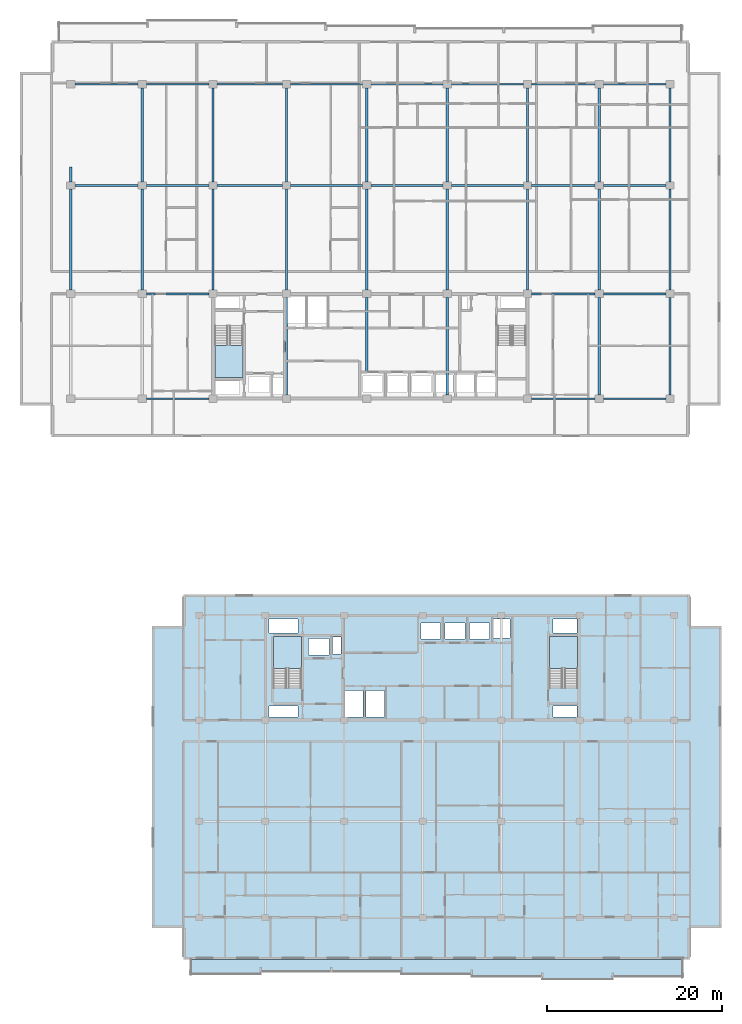
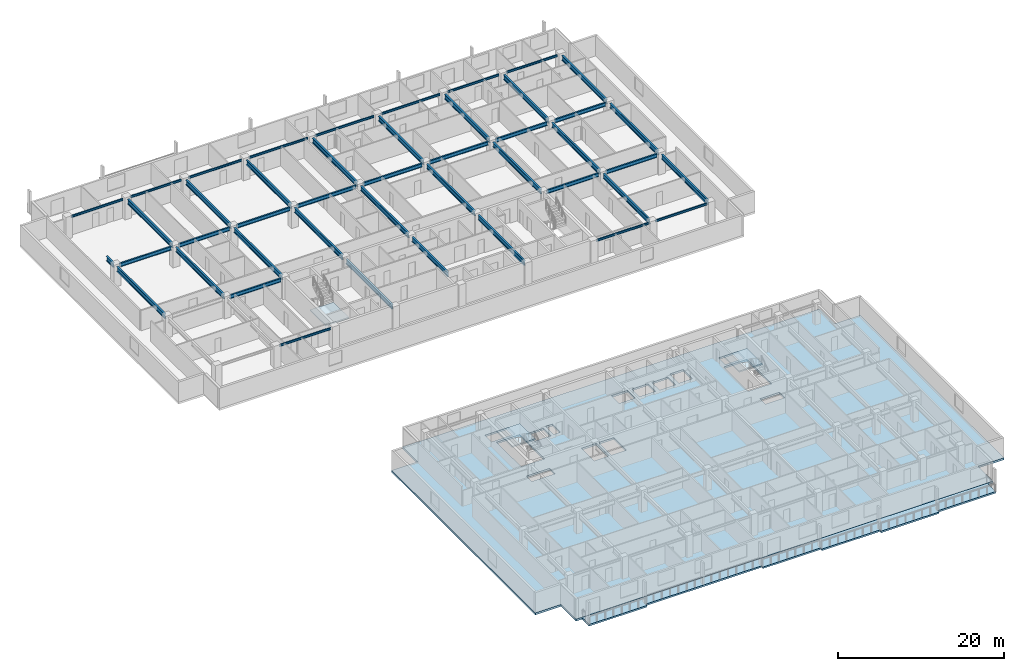
# One storey, part 2 of 22: 45 beams, 5 slabs, 3 elements without a shape of their own.
"""IFC4 building model written with IfcOpenShell, lengths in metres."""

import ifcopenshell
import ifcopenshell.guid

model = None  # the IFC model being written
_history = None  # IfcOwnerHistory: only IFC2X3 demands one
_inside = {}  # id of a spatial element -> (the spatial element, [elements in it])
_under = {}  # id of a project, library or spatial element -> (it, [spatial elements below it])
_declared = {}  # id of a project -> (the project, [libraries it declares])
_typed = {}  # id of a type object -> (the type object, [elements of that type])
_made_of = {}  # id of a material, layer set ... -> (it, [elements and type objects made of it])


def new_model(schema):
    """Start an empty IFC model of exactly this schema.

    Asked for "IFC4X3", IfcOpenShell would pick the latest addendum, in which some entities
    have other attributes; the version numbers below select the first issue.
    IFC2X3 requires an IfcOwnerHistory on every rooted entity: one is made here for all.
    """
    global model, _history
    if schema == "IFC4X3":
        model = ifcopenshell.file(schema_version=(4, 3, 0, 0))
    else:
        model = ifcopenshell.file(schema=schema)
    _inside.clear()
    _under.clear()
    _declared.clear()
    _typed.clear()
    _made_of.clear()
    _history = None
    if model.schema == "IFC2X3":
        org = make("IfcOrganization", Name="unknown")
        user = make(
            "IfcPersonAndOrganization",
            ThePerson=make("IfcPerson", FamilyName="unknown"),
            TheOrganization=org,
        )
        app = make(
            "IfcApplication",
            ApplicationDeveloper=org,
            Version="unknown",
            ApplicationFullName="unknown",
            ApplicationIdentifier="unknown",
        )
        _history = make(
            "IfcOwnerHistory",
            OwningUser=user,
            OwningApplication=app,
            ChangeAction="ADDED",
            CreationDate=0,
        )
    return model


def make(cls, **values):
    """One entity of the class cls with the attributes given. An attribute that is None is left unset."""
    return model.create_entity(
        cls, **{name: value for name, value in values.items() if value is not None}
    )


def rooted(cls, **values):
    """An entity with a GlobalId (a new one), such as an element, a storey or a relation."""
    return make(cls, GlobalId=ifcopenshell.guid.new(), OwnerHistory=_history, **values)


def si_unit(unit_type, name, prefix=None):
    """IfcSIUnit, for example si_unit("LENGTHUNIT", "METRE", prefix="MILLI")."""
    return make("IfcSIUnit", UnitType=unit_type, Prefix=prefix, Name=name)


def assignment(units):
    """IfcUnitAssignment: the units of a project."""
    return None if units is None else make("IfcUnitAssignment", Units=units)


def point(xyz):
    """IfcCartesianPoint."""
    return None if xyz is None else make("IfcCartesianPoint", Coordinates=xyz)


def direction(xyz):
    """IfcDirection."""
    return None if xyz is None else make("IfcDirection", DirectionRatios=xyz)


def frame(location, z_axis=None, x_axis=None):
    """IfcAxis2Placement3D, a coordinate frame: its origin and axes. An axis left out is left unset."""
    return make(
        "IfcAxis2Placement3D",
        Location=point(location),
        Axis=direction(z_axis),
        RefDirection=direction(x_axis),
    )


def frame_2d(location, x_axis=None):
    """IfcAxis2Placement2D, a coordinate frame in the plane: its origin and x axis."""
    return make(
        "IfcAxis2Placement2D", Location=point(location), RefDirection=direction(x_axis)
    )


def origin():
    """The frame at (0, 0, 0) with its axes left unset."""
    return frame((0.0, 0.0, 0.0))


def origin_2d():
    """The frame at (0, 0) in the plane with its x axis left unset."""
    return frame_2d((0.0, 0.0))


def place(relative_to, where):
    """IfcLocalPlacement: puts the frame where relative to a parent placement (None: the world)."""
    return make(
        "IfcLocalPlacement", PlacementRelTo=relative_to, RelativePlacement=where
    )


def context(
    kind, dimensions, precision=None, world=None, true_north=None, identifier=None
):
    """IfcGeometricRepresentationContext, for example the 3D "Model" context."""
    return make(
        "IfcGeometricRepresentationContext",
        ContextIdentifier=identifier,
        ContextType=kind,
        CoordinateSpaceDimension=dimensions,
        Precision=precision,
        WorldCoordinateSystem=world,
        TrueNorth=true_north,
    )


def subcontext(parent, identifier, kind, view, scale=None):
    """IfcGeometricRepresentationSubContext, for example "Body" below "Model"."""
    return make(
        "IfcGeometricRepresentationSubContext",
        ContextIdentifier=identifier,
        ContextType=kind,
        ParentContext=parent,
        TargetScale=scale,
        TargetView=view,
    )


def project(units=None, contexts=None):
    """IfcProject with its units and contexts."""
    return rooted(
        "IfcProject",
        Name="project",
        RepresentationContexts=contexts,
        UnitsInContext=assignment(units),
    )


def spatial(cls, under=None, at=None, **own):
    """A site, building, storey or space (cls), placed at a placement, below another one or the project."""
    s = rooted(cls, ObjectPlacement=at, **own)
    if under is not None:
        _under.setdefault(under.id(), (under, []))[1].append(s)
    return s


def polyline(points):
    """IfcPolyline through the points."""
    return make("IfcPolyline", Points=[point(p) for p in points])


def profile(cls, at=None, kind="AREA", **sizes):
    """A parametric profile (cls). Its sizes go by their IFC names, for example OverallWidth=200.0."""
    return make(cls, ProfileType=kind, Position=at, **sizes)


def i_section(**sizes):
    """IfcIShapeProfileDef."""
    return profile("IfcIShapeProfileDef", **sizes)


def outline(outer, holes=None, kind="AREA"):
    """IfcArbitraryClosedProfileDef: a profile drawn as a closed curve; with holes, ...WithVoids."""
    if holes is None:
        return make("IfcArbitraryClosedProfileDef", ProfileType=kind, OuterCurve=outer)
    return make(
        "IfcArbitraryProfileDefWithVoids",
        ProfileType=kind,
        OuterCurve=outer,
        InnerCurves=holes,
    )


def extrude(swept, where, along, depth):
    """IfcExtrudedAreaSolid: the profile swept, set in the frame where, extruded along a direction by depth."""
    return make(
        "IfcExtrudedAreaSolid",
        SweptArea=swept,
        Position=where,
        ExtrudedDirection=direction(along),
        Depth=depth,
    )


def shape(context_of_items, identifier, shape_type, items):
    """IfcShapeRepresentation: the items that make up one representation, for example the "Body"."""
    return make(
        "IfcShapeRepresentation",
        ContextOfItems=context_of_items,
        RepresentationIdentifier=identifier,
        RepresentationType=shape_type,
        Items=items,
    )


def material(Name=None, Category=None):
    """IfcMaterial."""
    return make("IfcMaterial", Name=Name, Category=Category)


def layer(
    of_material, thickness, ventilated=None, Name=None, Category=None, Priority=None
):
    """IfcMaterialLayer: one layer of a wall or slab, of a material (None: an air gap)."""
    return make(
        "IfcMaterialLayer",
        Material=of_material,
        LayerThickness=thickness,
        IsVentilated=ventilated,
        Name=Name,
        Category=Category,
        Priority=Priority,
    )


def layer_set(layers, Name=None):
    """IfcMaterialLayerSet."""
    return make("IfcMaterialLayerSet", MaterialLayers=layers, LayerSetName=Name)


def material_profile(
    of_material, cross_section, Name=None, Category=None, Priority=None
):
    """IfcMaterialProfile: a cross section and its material."""
    return make(
        "IfcMaterialProfile",
        Name=Name,
        Material=of_material,
        Profile=cross_section,
        Priority=Priority,
        Category=Category,
    )


def profile_set(profiles, Name=None, composite=None):
    """IfcMaterialProfileSet."""
    return make(
        "IfcMaterialProfileSet",
        Name=Name,
        MaterialProfiles=profiles,
        CompositeProfile=composite,
    )


def made_of(thing, what):
    """Note that an element or type object is made of a material, layer set ...; save() writes the relation."""
    if what is not None:
        _made_of.setdefault(what.id(), (what, []))[1].append(thing)
    return thing


def type_object(cls, material=None, **own):
    """A type object (cls), such as IfcWallType, which elements share."""
    return made_of(rooted(cls, **own), material)


def element(
    cls,
    number,
    at=None,
    inside=None,
    cuts=None,
    type_object=None,
    material=None,
    context=None,
    identifier="Body",
    shape_type=None,
    held_by="IfcProductDefinitionShape",
    body=None,
    shapes=None,
    **own,
):
    """One element of the class cls, such as IfcWall. Its Tag is "e" and its number.

    at: its placement. inside: the storey or other place that contains it. cuts: it is an
    opening in that element (IfcRelVoidsElement). A single representation is given by context,
    identifier, shape_type and body (its items); several are given by shapes. held_by: the class
    of the entity that holds the representations. save() writes the other relations.
    """
    e = rooted(cls, Tag="e%d" % number, ObjectPlacement=at, **own)
    if body is not None:
        shapes = [shape(context, identifier, shape_type, body)]
    if shapes is not None:
        e.Representation = make(held_by, Representations=shapes)
    if inside is not None:
        _inside.setdefault(inside.id(), (inside, []))[1].append(e)
    if cuts is not None:
        rooted(
            "IfcRelVoidsElement", RelatingBuildingElement=cuts, RelatedOpeningElement=e
        )
    if type_object is not None:
        _typed.setdefault(type_object.id(), (type_object, []))[1].append(e)
    return made_of(e, material)


def aggregate(whole, parts):
    """IfcRelAggregates: a whole, such as a stair, and the parts it consists of."""
    return rooted("IfcRelAggregates", RelatingObject=whole, RelatedObjects=parts)


def save(model, path):
    """Write the relations noted so far, then the file.

    IfcRelAggregates (storeys below a building ...), IfcRelContainedInSpatialStructure (elements
    in a storey), IfcRelDefinesByType, IfcRelAssociatesMaterial and IfcRelDeclares: one each for
    every whole, place, type object, material and project.
    """
    for whole, parts in _under.values():
        aggregate(whole, parts)
    for where, things in _inside.values():
        rooted(
            "IfcRelContainedInSpatialStructure",
            RelatedElements=things,
            RelatingStructure=where,
        )
    for kind, things in _typed.values():
        rooted("IfcRelDefinesByType", RelatedObjects=things, RelatingType=kind)
    for what, things in _made_of.values():
        rooted("IfcRelAssociatesMaterial", RelatedObjects=things, RelatingMaterial=what)
    for by, libraries in _declared.values():
        rooted("IfcRelDeclares", RelatingContext=by, RelatedDefinitions=libraries)
    model.write(path)


model = new_model("IFC4")

# Units and contexts
model_context = context("Model", 3, precision=1e-05, world=origin(), true_north=direction((0.0, 1.0)))
body_context = subcontext(model_context, "Body", "Model", "MODEL_VIEW")
ifc_project = project(units=[si_unit("LENGTHUNIT", "METRE"), si_unit("AREAUNIT", "SQUARE_METRE"), si_unit("VOLUMEUNIT", "CUBIC_METRE"), si_unit("PLANEANGLEUNIT", "RADIAN"), si_unit("MASSUNIT", "GRAM", prefix="KILO")], contexts=[model_context])

# Site, building, storey
site_placement = place(None, origin())
site = spatial("IfcSite", under=ifc_project, at=site_placement, CompositionType="ELEMENT")
building_placement = place(site_placement, origin())
building = spatial("IfcBuilding", under=site, at=building_placement, Name="Korimba Cascade Residences", CompositionType="ELEMENT")
storey_placement = place(building_placement, frame((0.0, 0.0, 132.800048828125)))
storey = spatial("IfcBuildingStorey", under=building, at=storey_placement, Name="L38", CompositionType="ELEMENT", Elevation=132.800048828125)

# Beams
ifc_material_1 = material(Name="Steel S355", Category="steel")
ifc_material_profile_1 = material_profile(ifc_material_1, i_section(OverallWidth=0.165771484375, OverallDepth=0.306640625, WebThickness=0.006591796875, FlangeThickness=0.01171875, FilletRadius=0.0087890625, at=origin_2d()), Name="Steel S355")
ifc_profile_set_1 = profile_set([ifc_material_profile_1], Name="Steel S355")
beam_type_1 = type_object("IfcBeamType", Name="BM-STL-UB305", PredefinedType="SPANDREL", material=ifc_profile_set_1)
beam_1_placement = place(storey_placement, frame((68.47509765625, 55.199951171875, 2.816650390625), z_axis=(1.0, 0.0, 0.0), x_axis=(0.0, 1.0, 0.0)))
element("IfcBeam", 1, at=beam_1_placement, inside=storey, type_object=beam_type_1, Name="L38 T1 E-W Girder Y1 Bay 2", PredefinedType="SPANDREL", context=body_context, shape_type="SweptSolid", body=[
    extrude(i_section(OverallWidth=0.165771484375, OverallDepth=0.306640625, WebThickness=0.006591796875, FlangeThickness=0.01171875, FilletRadius=0.0087890625, at=origin_2d()), origin(), (0.0, 0.0, 1.0), 7.14990234375),
])
beam_2_placement = place(storey_placement, frame((112.574951171875, 55.199951171875, 2.816650390625), z_axis=(1.0, 0.0, 0.0), x_axis=(0.0, 1.0, 0.0)))
element("IfcBeam", 2, at=beam_2_placement, inside=storey, type_object=beam_type_1, Name="L38 T1 E-W Girder Y1 Bay 7", PredefinedType="SPANDREL", context=body_context, shape_type="SweptSolid", body=[
    extrude(i_section(OverallWidth=0.165771484375, OverallDepth=0.306640625, WebThickness=0.006591796875, FlangeThickness=0.01171875, FilletRadius=0.0087890625, at=origin_2d()), origin(), (0.0, 0.0, 1.0), 7.25),
])
beam_3_placement = place(storey_placement, frame((120.77490234375, 55.199951171875, 2.816650390625), z_axis=(1.0, 0.0, 0.0), x_axis=(0.0, 1.0, 0.0)))
element("IfcBeam", 3, at=beam_3_placement, inside=storey, type_object=beam_type_1, Name="L38 T1 E-W Girder Y1 Bay 8", PredefinedType="SPANDREL", context=body_context, shape_type="SweptSolid", body=[
    extrude(i_section(OverallWidth=0.165771484375, OverallDepth=0.306640625, WebThickness=0.006591796875, FlangeThickness=0.01171875, FilletRadius=0.0087890625, at=origin_2d()), origin(), (0.0, 0.0, 1.0), 7.150146484375),
])
beam_4_placement = place(storey_placement, frame((60.27490234375, 91.199951171875, 2.816650390625), z_axis=(1.0, 0.0, 0.0), x_axis=(0.0, 1.0, 0.0)))
element("IfcBeam", 4, at=beam_4_placement, inside=storey, type_object=beam_type_1, Name="L38 T1 E-W Girder Y4 Bay 1", PredefinedType="SPANDREL", context=body_context, shape_type="SweptSolid", body=[
    extrude(i_section(OverallWidth=0.165771484375, OverallDepth=0.306640625, WebThickness=0.006591796875, FlangeThickness=0.01171875, FilletRadius=0.0087890625, at=origin_2d()), origin(), (0.0, 0.0, 1.0), 7.25),
])
beam_5_placement = place(storey_placement, frame((68.47509765625, 91.199951171875, 2.816650390625), z_axis=(1.0, 0.0, 0.0), x_axis=(0.0, 1.0, 0.0)))
element("IfcBeam", 5, at=beam_5_placement, inside=storey, type_object=beam_type_1, Name="L38 T1 E-W Girder Y4 Bay 2", PredefinedType="SPANDREL", context=body_context, shape_type="SweptSolid", body=[
    extrude(i_section(OverallWidth=0.165771484375, OverallDepth=0.306640625, WebThickness=0.006591796875, FlangeThickness=0.01171875, FilletRadius=0.0087890625, at=origin_2d()), origin(), (0.0, 0.0, 1.0), 7.14990234375),
])
beam_6_placement = place(storey_placement, frame((76.574951171875, 91.199951171875, 2.816650390625), z_axis=(1.0, 0.0, 0.0), x_axis=(0.0, 1.0, 0.0)))
element("IfcBeam", 6, at=beam_6_placement, inside=storey, type_object=beam_type_1, Name="L38 T1 E-W Girder Y4 Bay 3", PredefinedType="SPANDREL", context=body_context, shape_type="SweptSolid", body=[
    extrude(i_section(OverallWidth=0.165771484375, OverallDepth=0.306640625, WebThickness=0.006591796875, FlangeThickness=0.01171875, FilletRadius=0.0087890625, at=origin_2d()), origin(), (0.0, 0.0, 1.0), 7.449951171875),
])
for number, where, z_axis, x_axis, name in (
    (7, (84.97509765625, 91.199951171875, 2.816650390625), (1.0, 0.0, 0.0), (0.0, 1.0, 0.0), "L38 T1 E-W Girder Y4 Bay 4"),
    (8, (94.175048828125, 91.199951171875, 2.816650390625), (1.0, 0.0, 0.0), (0.0, 1.0, 0.0), "L38 T1 E-W Girder Y4 Bay 5"),
    (9, (103.375, 91.199951171875, 2.816650390625), (1.0, 0.0, 0.0), (0.0, 1.0, 0.0), "L38 T1 E-W Girder Y4 Bay 6"),
):
    element("IfcBeam", number, at=place(storey_placement, frame(where, z_axis=z_axis, x_axis=x_axis)), inside=storey, type_object=beam_type_1, Name=name, PredefinedType="SPANDREL", context=body_context, shape_type="SweptSolid", body=[
        extrude(i_section(OverallWidth=0.165771484375, OverallDepth=0.306640625, WebThickness=0.006591796875, FlangeThickness=0.01171875, FilletRadius=0.0087890625, at=origin_2d()), origin(), (0.0, 0.0, 1.0), 8.25),
    ])
beam_7_placement = place(storey_placement, frame((112.574951171875, 91.199951171875, 2.816650390625), z_axis=(1.0, 0.0, 0.0), x_axis=(0.0, 1.0, 0.0)))
element("IfcBeam", 10, at=beam_7_placement, inside=storey, type_object=beam_type_1, Name="L38 T1 E-W Girder Y4 Bay 7", PredefinedType="SPANDREL", context=body_context, shape_type="SweptSolid", body=[
    extrude(i_section(OverallWidth=0.165771484375, OverallDepth=0.306640625, WebThickness=0.006591796875, FlangeThickness=0.01171875, FilletRadius=0.0087890625, at=origin_2d()), origin(), (0.0, 0.0, 1.0), 7.25),
])
beam_8_placement = place(storey_placement, frame((120.77490234375, 91.199951171875, 2.816650390625), z_axis=(1.0, 0.0, 0.0), x_axis=(0.0, 1.0, 0.0)))
element("IfcBeam", 11, at=beam_8_placement, inside=storey, type_object=beam_type_1, Name="L38 T1 E-W Girder Y4 Bay 8", PredefinedType="SPANDREL", context=body_context, shape_type="SweptSolid", body=[
    extrude(i_section(OverallWidth=0.165771484375, OverallDepth=0.306640625, WebThickness=0.006591796875, FlangeThickness=0.01171875, FilletRadius=0.0087890625, at=origin_2d()), origin(), (0.0, 0.0, 1.0), 7.150146484375),
])
ifc_material_profile_2 = material_profile(ifc_material_1, i_section(OverallWidth=0.2099609375, OverallDepth=0.53662109375, WebThickness=0.0107421875, FlangeThickness=0.017333984375, FilletRadius=0.0126953125, at=origin_2d()), Name="Steel S355")
ifc_profile_set_2 = profile_set([ifc_material_profile_2], Name="Steel S355")
beam_type_2 = type_object("IfcBeamType", Name="BM-STL-UB533", PredefinedType="BEAM", material=ifc_profile_set_2)
beam_9_placement = place(storey_placement, frame((68.47509765625, 67.199951171875, 2.70166015625), z_axis=(1.0, 0.0, 0.0), x_axis=(0.0, 1.0, 0.0)))
element("IfcBeam", 12, at=beam_9_placement, inside=storey, type_object=beam_type_2, Name="L38 T1 E-W Girder Y2 Bay 2", PredefinedType="BEAM", context=body_context, shape_type="SweptSolid", body=[
    extrude(i_section(OverallWidth=0.2099609375, OverallDepth=0.53662109375, WebThickness=0.0107421875, FlangeThickness=0.017333984375, FilletRadius=0.0126953125, at=origin_2d()), origin(), (0.0, 0.0, 1.0), 7.14990234375),
])
beam_10_placement = place(storey_placement, frame((112.574951171875, 67.199951171875, 2.70166015625), z_axis=(1.0, 0.0, 0.0), x_axis=(0.0, 1.0, 0.0)))
element("IfcBeam", 13, at=beam_10_placement, inside=storey, type_object=beam_type_2, Name="L38 T1 E-W Girder Y2 Bay 7", PredefinedType="BEAM", context=body_context, shape_type="SweptSolid", body=[
    extrude(i_section(OverallWidth=0.2099609375, OverallDepth=0.53662109375, WebThickness=0.0107421875, FlangeThickness=0.017333984375, FilletRadius=0.0126953125, at=origin_2d()), origin(), (0.0, 0.0, 1.0), 7.25),
])
beam_11_placement = place(storey_placement, frame((120.77490234375, 67.199951171875, 2.70166015625), z_axis=(1.0, 0.0, 0.0), x_axis=(0.0, 1.0, 0.0)))
element("IfcBeam", 14, at=beam_11_placement, inside=storey, type_object=beam_type_2, Name="L38 T1 E-W Girder Y2 Bay 8", PredefinedType="BEAM", context=body_context, shape_type="SweptSolid", body=[
    extrude(i_section(OverallWidth=0.2099609375, OverallDepth=0.53662109375, WebThickness=0.0107421875, FlangeThickness=0.017333984375, FilletRadius=0.0126953125, at=origin_2d()), origin(), (0.0, 0.0, 1.0), 7.150146484375),
])
beam_12_placement = place(storey_placement, frame((60.27490234375, 79.60009765625, 2.70166015625), z_axis=(1.0, 0.0, 0.0), x_axis=(0.0, 1.0, 0.0)))
element("IfcBeam", 15, at=beam_12_placement, inside=storey, type_object=beam_type_2, Name="L38 T1 E-W Girder Y3 Bay 1", PredefinedType="BEAM", context=body_context, shape_type="SweptSolid", body=[
    extrude(i_section(OverallWidth=0.2099609375, OverallDepth=0.53662109375, WebThickness=0.0107421875, FlangeThickness=0.017333984375, FilletRadius=0.0126953125, at=origin_2d()), origin(), (0.0, 0.0, 1.0), 7.25),
])
beam_13_placement = place(storey_placement, frame((68.47509765625, 79.60009765625, 2.70166015625), z_axis=(1.0, 0.0, 0.0), x_axis=(0.0, 1.0, 0.0)))
element("IfcBeam", 16, at=beam_13_placement, inside=storey, type_object=beam_type_2, Name="L38 T1 E-W Girder Y3 Bay 2", PredefinedType="BEAM", context=body_context, shape_type="SweptSolid", body=[
    extrude(i_section(OverallWidth=0.2099609375, OverallDepth=0.53662109375, WebThickness=0.0107421875, FlangeThickness=0.017333984375, FilletRadius=0.0126953125, at=origin_2d()), origin(), (0.0, 0.0, 1.0), 7.14990234375),
])
beam_14_placement = place(storey_placement, frame((76.574951171875, 79.60009765625, 2.70166015625), z_axis=(1.0, 0.0, 0.0), x_axis=(0.0, 1.0, 0.0)))
element("IfcBeam", 17, at=beam_14_placement, inside=storey, type_object=beam_type_2, Name="L38 T1 E-W Girder Y3 Bay 3", PredefinedType="BEAM", context=body_context, shape_type="SweptSolid", body=[
    extrude(i_section(OverallWidth=0.2099609375, OverallDepth=0.53662109375, WebThickness=0.0107421875, FlangeThickness=0.017333984375, FilletRadius=0.0126953125, at=origin_2d()), origin(), (0.0, 0.0, 1.0), 7.449951171875),
])
for number, where, z_axis, x_axis, name in (
    (18, (84.97509765625, 79.60009765625, 2.70166015625), (1.0, 0.0, 0.0), (0.0, 1.0, 0.0), "L38 T1 E-W Girder Y3 Bay 4"),
    (19, (94.175048828125, 79.60009765625, 2.70166015625), (1.0, 0.0, 0.0), (0.0, 1.0, 0.0), "L38 T1 E-W Girder Y3 Bay 5"),
    (20, (103.375, 79.60009765625, 2.70166015625), (1.0, 0.0, 0.0), (0.0, 1.0, 0.0), "L38 T1 E-W Girder Y3 Bay 6"),
):
    element("IfcBeam", number, at=place(storey_placement, frame(where, z_axis=z_axis, x_axis=x_axis)), inside=storey, type_object=beam_type_2, Name=name, PredefinedType="BEAM", context=body_context, shape_type="SweptSolid", body=[
        extrude(i_section(OverallWidth=0.2099609375, OverallDepth=0.53662109375, WebThickness=0.0107421875, FlangeThickness=0.017333984375, FilletRadius=0.0126953125, at=origin_2d()), origin(), (0.0, 0.0, 1.0), 8.25),
    ])
beam_15_placement = place(storey_placement, frame((112.574951171875, 79.60009765625, 2.70166015625), z_axis=(1.0, 0.0, 0.0), x_axis=(0.0, 1.0, 0.0)))
element("IfcBeam", 21, at=beam_15_placement, inside=storey, type_object=beam_type_2, Name="L38 T1 E-W Girder Y3 Bay 7", PredefinedType="BEAM", context=body_context, shape_type="SweptSolid", body=[
    extrude(i_section(OverallWidth=0.2099609375, OverallDepth=0.53662109375, WebThickness=0.0107421875, FlangeThickness=0.017333984375, FilletRadius=0.0126953125, at=origin_2d()), origin(), (0.0, 0.0, 1.0), 7.25),
])
beam_16_placement = place(storey_placement, frame((120.77490234375, 79.60009765625, 2.70166015625), z_axis=(1.0, 0.0, 0.0), x_axis=(0.0, 1.0, 0.0)))
element("IfcBeam", 22, at=beam_16_placement, inside=storey, type_object=beam_type_2, Name="L38 T1 E-W Girder Y3 Bay 8", PredefinedType="BEAM", context=body_context, shape_type="SweptSolid", body=[
    extrude(i_section(OverallWidth=0.2099609375, OverallDepth=0.53662109375, WebThickness=0.0107421875, FlangeThickness=0.017333984375, FilletRadius=0.0126953125, at=origin_2d()), origin(), (0.0, 0.0, 1.0), 7.150146484375),
])
ifc_material_profile_3 = material_profile(ifc_material_1, i_section(OverallWidth=0.255859375, OverallDepth=0.69287109375, WebThickness=0.014404296875, FlangeThickness=0.023681640625, FilletRadius=0.01513671875, at=origin_2d()), Name="Steel S355")
ifc_profile_set_3 = profile_set([ifc_material_profile_3], Name="Steel S355")
beam_type_3 = type_object("IfcBeamType", Name="BM-STL-UB686", PredefinedType="BEAM", material=ifc_profile_set_3)
beam_17_placement = place(storey_placement, frame((59.800048828125, 67.625, 2.62353515625), z_axis=(0.0, 1.0, 0.0), x_axis=(-1.0, 0.0, 0.0)))
element("IfcBeam", 23, at=beam_17_placement, inside=storey, type_object=beam_type_3, Name="L38 T1 N-S Girder X1 Seg 2", PredefinedType="BEAM", context=body_context, shape_type="SweptSolid", body=[
    extrude(i_section(OverallWidth=0.255859375, OverallDepth=0.69287109375, WebThickness=0.014404296875, FlangeThickness=0.023681640625, FilletRadius=0.01513671875, at=origin_2d()), origin(), (0.0, 0.0, 1.0), 11.550048828125),
])
beam_18_placement = place(storey_placement, frame((59.800048828125, 80.02490234375, 2.62353515625), z_axis=(0.0, 1.0, 0.0), x_axis=(-1.0, 0.0, 0.0)))
element("IfcBeam", 24, at=beam_18_placement, inside=storey, type_object=beam_type_3, Name="L38 T1 N-S Girder X1 Seg 3", PredefinedType="BEAM", context=body_context, shape_type="SweptSolid", body=[
    extrude(i_section(OverallWidth=0.255859375, OverallDepth=0.69287109375, WebThickness=0.014404296875, FlangeThickness=0.023681640625, FilletRadius=0.01513671875, at=origin_2d()), origin(), (0.0, 0.0, 1.0), 1.675048828125),
])
beam_19_placement = place(storey_placement, frame((68.0, 67.625, 2.62353515625), z_axis=(0.0, 1.0, 0.0), x_axis=(-1.0, 0.0, 0.0)))
element("IfcBeam", 25, at=beam_19_placement, inside=storey, type_object=beam_type_3, Name="L38 T1 N-S Girder X2 Seg 2", PredefinedType="BEAM", context=body_context, shape_type="SweptSolid", body=[
    extrude(i_section(OverallWidth=0.255859375, OverallDepth=0.69287109375, WebThickness=0.014404296875, FlangeThickness=0.023681640625, FilletRadius=0.01513671875, at=origin_2d()), origin(), (0.0, 0.0, 1.0), 11.550048828125),
])
beam_20_placement = place(storey_placement, frame((68.0, 80.02490234375, 2.62353515625), z_axis=(0.0, 1.0, 0.0), x_axis=(-1.0, 0.0, 0.0)))
element("IfcBeam", 26, at=beam_20_placement, inside=storey, type_object=beam_type_3, Name="L38 T1 N-S Girder X2 Seg 3", PredefinedType="BEAM", context=body_context, shape_type="SweptSolid", body=[
    extrude(i_section(OverallWidth=0.255859375, OverallDepth=0.69287109375, WebThickness=0.014404296875, FlangeThickness=0.023681640625, FilletRadius=0.01513671875, at=origin_2d()), origin(), (0.0, 0.0, 1.0), 10.75),
])
beam_21_placement = place(storey_placement, frame((76.10009765625, 67.625, 2.62353515625), z_axis=(0.0, 1.0, 0.0), x_axis=(-1.0, 0.0, 0.0)))
element("IfcBeam", 27, at=beam_21_placement, inside=storey, type_object=beam_type_3, Name="L38 T1 N-S Girder X3 Seg 2", PredefinedType="BEAM", context=body_context, shape_type="SweptSolid", body=[
    extrude(i_section(OverallWidth=0.255859375, OverallDepth=0.69287109375, WebThickness=0.014404296875, FlangeThickness=0.023681640625, FilletRadius=0.01513671875, at=origin_2d()), origin(), (0.0, 0.0, 1.0), 11.550048828125),
])
beam_22_placement = place(storey_placement, frame((76.10009765625, 80.02490234375, 2.62353515625), z_axis=(0.0, 1.0, 0.0), x_axis=(-1.0, 0.0, 0.0)))
element("IfcBeam", 28, at=beam_22_placement, inside=storey, type_object=beam_type_3, Name="L38 T1 N-S Girder X3 Seg 3", PredefinedType="BEAM", context=body_context, shape_type="SweptSolid", body=[
    extrude(i_section(OverallWidth=0.255859375, OverallDepth=0.69287109375, WebThickness=0.014404296875, FlangeThickness=0.023681640625, FilletRadius=0.01513671875, at=origin_2d()), origin(), (0.0, 0.0, 1.0), 10.75),
])
beam_23_placement = place(storey_placement, frame((84.5, 55.625, 2.62353515625), z_axis=(0.0, 1.0, 0.0), x_axis=(-1.0, 0.0, 0.0)))
element("IfcBeam", 29, at=beam_23_placement, inside=storey, type_object=beam_type_3, Name="L38 T1 N-S Girder X4 Seg 1", PredefinedType="BEAM", context=body_context, shape_type="SweptSolid", body=[
    extrude(i_section(OverallWidth=0.255859375, OverallDepth=0.69287109375, WebThickness=0.014404296875, FlangeThickness=0.023681640625, FilletRadius=0.01513671875, at=origin_2d()), origin(), (0.0, 0.0, 1.0), 11.14990234375),
])
beam_24_placement = place(storey_placement, frame((84.5, 67.625, 2.62353515625), z_axis=(0.0, 1.0, 0.0), x_axis=(-1.0, 0.0, 0.0)))
element("IfcBeam", 30, at=beam_24_placement, inside=storey, type_object=beam_type_3, Name="L38 T1 N-S Girder X4 Seg 2", PredefinedType="BEAM", context=body_context, shape_type="SweptSolid", body=[
    extrude(i_section(OverallWidth=0.255859375, OverallDepth=0.69287109375, WebThickness=0.014404296875, FlangeThickness=0.023681640625, FilletRadius=0.01513671875, at=origin_2d()), origin(), (0.0, 0.0, 1.0), 11.550048828125),
])
beam_25_placement = place(storey_placement, frame((84.5, 80.02490234375, 2.62353515625), z_axis=(0.0, 1.0, 0.0), x_axis=(-1.0, 0.0, 0.0)))
element("IfcBeam", 31, at=beam_25_placement, inside=storey, type_object=beam_type_3, Name="L38 T1 N-S Girder X4 Seg 3", PredefinedType="BEAM", context=body_context, shape_type="SweptSolid", body=[
    extrude(i_section(OverallWidth=0.255859375, OverallDepth=0.69287109375, WebThickness=0.014404296875, FlangeThickness=0.023681640625, FilletRadius=0.01513671875, at=origin_2d()), origin(), (0.0, 0.0, 1.0), 10.75),
])
beam_26_placement = place(storey_placement, frame((93.699951171875, 58.159912109375, 2.62353515625), z_axis=(0.0, 1.0, 0.0), x_axis=(-1.0, 0.0, 0.0)))
element("IfcBeam", 32, at=beam_26_placement, inside=storey, type_object=beam_type_3, Name="L38 T1 N-S Girder X5 Seg 1", PredefinedType="BEAM", context=body_context, shape_type="SweptSolid", body=[
    extrude(i_section(OverallWidth=0.255859375, OverallDepth=0.69287109375, WebThickness=0.014404296875, FlangeThickness=0.023681640625, FilletRadius=0.01513671875, at=origin_2d()), origin(), (0.0, 0.0, 1.0), 8.614990234375),
])
beam_27_placement = place(storey_placement, frame((93.699951171875, 67.625, 2.62353515625), z_axis=(0.0, 1.0, 0.0), x_axis=(-1.0, 0.0, 0.0)))
element("IfcBeam", 33, at=beam_27_placement, inside=storey, type_object=beam_type_3, Name="L38 T1 N-S Girder X5 Seg 2", PredefinedType="BEAM", context=body_context, shape_type="SweptSolid", body=[
    extrude(i_section(OverallWidth=0.255859375, OverallDepth=0.69287109375, WebThickness=0.014404296875, FlangeThickness=0.023681640625, FilletRadius=0.01513671875, at=origin_2d()), origin(), (0.0, 0.0, 1.0), 11.550048828125),
])
beam_28_placement = place(storey_placement, frame((93.699951171875, 80.02490234375, 2.62353515625), z_axis=(0.0, 1.0, 0.0), x_axis=(-1.0, 0.0, 0.0)))
element("IfcBeam", 34, at=beam_28_placement, inside=storey, type_object=beam_type_3, Name="L38 T1 N-S Girder X5 Seg 3", PredefinedType="BEAM", context=body_context, shape_type="SweptSolid", body=[
    extrude(i_section(OverallWidth=0.255859375, OverallDepth=0.69287109375, WebThickness=0.014404296875, FlangeThickness=0.023681640625, FilletRadius=0.01513671875, at=origin_2d()), origin(), (0.0, 0.0, 1.0), 10.75),
])
beam_29_placement = place(storey_placement, frame((102.89990234375, 55.625, 2.62353515625), z_axis=(0.0, 1.0, 0.0), x_axis=(-1.0, 0.0, 0.0)))
element("IfcBeam", 35, at=beam_29_placement, inside=storey, type_object=beam_type_3, Name="L38 T1 N-S Girder X6 Seg 1", PredefinedType="BEAM", context=body_context, shape_type="SweptSolid", body=[
    extrude(i_section(OverallWidth=0.255859375, OverallDepth=0.69287109375, WebThickness=0.014404296875, FlangeThickness=0.023681640625, FilletRadius=0.01513671875, at=origin_2d()), origin(), (0.0, 0.0, 1.0), 11.14990234375),
])
beam_30_placement = place(storey_placement, frame((102.89990234375, 67.625, 2.62353515625), z_axis=(0.0, 1.0, 0.0), x_axis=(-1.0, 0.0, 0.0)))
element("IfcBeam", 36, at=beam_30_placement, inside=storey, type_object=beam_type_3, Name="L38 T1 N-S Girder X6 Seg 2", PredefinedType="BEAM", context=body_context, shape_type="SweptSolid", body=[
    extrude(i_section(OverallWidth=0.255859375, OverallDepth=0.69287109375, WebThickness=0.014404296875, FlangeThickness=0.023681640625, FilletRadius=0.01513671875, at=origin_2d()), origin(), (0.0, 0.0, 1.0), 11.550048828125),
])
beam_31_placement = place(storey_placement, frame((102.89990234375, 80.02490234375, 2.62353515625), z_axis=(0.0, 1.0, 0.0), x_axis=(-1.0, 0.0, 0.0)))
element("IfcBeam", 37, at=beam_31_placement, inside=storey, type_object=beam_type_3, Name="L38 T1 N-S Girder X6 Seg 3", PredefinedType="BEAM", context=body_context, shape_type="SweptSolid", body=[
    extrude(i_section(OverallWidth=0.255859375, OverallDepth=0.69287109375, WebThickness=0.014404296875, FlangeThickness=0.023681640625, FilletRadius=0.01513671875, at=origin_2d()), origin(), (0.0, 0.0, 1.0), 10.75),
])
beam_32_placement = place(storey_placement, frame((112.10009765625, 67.625, 2.62353515625), z_axis=(0.0, 1.0, 0.0), x_axis=(-1.0, 0.0, 0.0)))
element("IfcBeam", 38, at=beam_32_placement, inside=storey, type_object=beam_type_3, Name="L38 T1 N-S Girder X7 Seg 2", PredefinedType="BEAM", context=body_context, shape_type="SweptSolid", body=[
    extrude(i_section(OverallWidth=0.255859375, OverallDepth=0.69287109375, WebThickness=0.014404296875, FlangeThickness=0.023681640625, FilletRadius=0.01513671875, at=origin_2d()), origin(), (0.0, 0.0, 1.0), 11.550048828125),
])
beam_33_placement = place(storey_placement, frame((112.10009765625, 80.02490234375, 2.62353515625), z_axis=(0.0, 1.0, 0.0), x_axis=(-1.0, 0.0, 0.0)))
element("IfcBeam", 39, at=beam_33_placement, inside=storey, type_object=beam_type_3, Name="L38 T1 N-S Girder X7 Seg 3", PredefinedType="BEAM", context=body_context, shape_type="SweptSolid", body=[
    extrude(i_section(OverallWidth=0.255859375, OverallDepth=0.69287109375, WebThickness=0.014404296875, FlangeThickness=0.023681640625, FilletRadius=0.01513671875, at=origin_2d()), origin(), (0.0, 0.0, 1.0), 10.75),
])
beam_34_placement = place(storey_placement, frame((120.300048828125, 55.625, 2.62353515625), z_axis=(0.0, 1.0, 0.0), x_axis=(-1.0, 0.0, 0.0)))
element("IfcBeam", 40, at=beam_34_placement, inside=storey, type_object=beam_type_3, Name="L38 T1 N-S Girder X8 Seg 1", PredefinedType="BEAM", context=body_context, shape_type="SweptSolid", body=[
    extrude(i_section(OverallWidth=0.255859375, OverallDepth=0.69287109375, WebThickness=0.014404296875, FlangeThickness=0.023681640625, FilletRadius=0.01513671875, at=origin_2d()), origin(), (0.0, 0.0, 1.0), 11.14990234375),
])
beam_35_placement = place(storey_placement, frame((120.300048828125, 67.625, 2.62353515625), z_axis=(0.0, 1.0, 0.0), x_axis=(-1.0, 0.0, 0.0)))
element("IfcBeam", 41, at=beam_35_placement, inside=storey, type_object=beam_type_3, Name="L38 T1 N-S Girder X8 Seg 2", PredefinedType="BEAM", context=body_context, shape_type="SweptSolid", body=[
    extrude(i_section(OverallWidth=0.255859375, OverallDepth=0.69287109375, WebThickness=0.014404296875, FlangeThickness=0.023681640625, FilletRadius=0.01513671875, at=origin_2d()), origin(), (0.0, 0.0, 1.0), 11.550048828125),
])
beam_36_placement = place(storey_placement, frame((120.300048828125, 80.02490234375, 2.62353515625), z_axis=(0.0, 1.0, 0.0), x_axis=(-1.0, 0.0, 0.0)))
element("IfcBeam", 42, at=beam_36_placement, inside=storey, type_object=beam_type_3, Name="L38 T1 N-S Girder X8 Seg 3", PredefinedType="BEAM", context=body_context, shape_type="SweptSolid", body=[
    extrude(i_section(OverallWidth=0.255859375, OverallDepth=0.69287109375, WebThickness=0.014404296875, FlangeThickness=0.023681640625, FilletRadius=0.01513671875, at=origin_2d()), origin(), (0.0, 0.0, 1.0), 10.75),
])
beam_37_placement = place(storey_placement, frame((128.39990234375, 55.625, 2.62353515625), z_axis=(0.0, 1.0, 0.0), x_axis=(-1.0, 0.0, 0.0)))
element("IfcBeam", 43, at=beam_37_placement, inside=storey, type_object=beam_type_3, Name="L38 T1 N-S Girder X9 Seg 1", PredefinedType="BEAM", context=body_context, shape_type="SweptSolid", body=[
    extrude(i_section(OverallWidth=0.255859375, OverallDepth=0.69287109375, WebThickness=0.014404296875, FlangeThickness=0.023681640625, FilletRadius=0.01513671875, at=origin_2d()), origin(), (0.0, 0.0, 1.0), 11.14990234375),
])
beam_38_placement = place(storey_placement, frame((128.39990234375, 67.625, 2.62353515625), z_axis=(0.0, 1.0, 0.0), x_axis=(-1.0, 0.0, 0.0)))
element("IfcBeam", 44, at=beam_38_placement, inside=storey, type_object=beam_type_3, Name="L38 T1 N-S Girder X9 Seg 2", PredefinedType="BEAM", context=body_context, shape_type="SweptSolid", body=[
    extrude(i_section(OverallWidth=0.255859375, OverallDepth=0.69287109375, WebThickness=0.014404296875, FlangeThickness=0.023681640625, FilletRadius=0.01513671875, at=origin_2d()), origin(), (0.0, 0.0, 1.0), 11.550048828125),
])
beam_39_placement = place(storey_placement, frame((128.39990234375, 80.02490234375, 2.62353515625), z_axis=(0.0, 1.0, 0.0), x_axis=(-1.0, 0.0, 0.0)))
element("IfcBeam", 45, at=beam_39_placement, inside=storey, type_object=beam_type_3, Name="L38 T1 N-S Girder X9 Seg 3", PredefinedType="BEAM", context=body_context, shape_type="SweptSolid", body=[
    extrude(i_section(OverallWidth=0.255859375, OverallDepth=0.69287109375, WebThickness=0.014404296875, FlangeThickness=0.023681640625, FilletRadius=0.01513671875, at=origin_2d()), origin(), (0.0, 0.0, 1.0), 10.75),
])

# Stair, slab
ifc_material_2 = material(Name="Concrete C50/60", Category="concrete")
stair_type_1 = type_object("IfcStairType", Name="STR-W1-18R-1806", PredefinedType="HALF_TURN_STAIR", material=ifc_material_2)
stair_1_placement = place(storey_placement, origin())
stair_1 = element("IfcStair", 46, at=stair_1_placement, inside=storey, type_object=stair_type_1, Name="L38 Tower 1 West Fire Stair ST-W1", PredefinedType="HALF_TURN_STAIR")
ifc_layer_1 = layer(ifc_material_2, 0.199951171875)
ifc_layer_set_1 = layer_set([ifc_layer_1], Name="Concrete C50/60")
slab_type_1 = type_object("IfcSlabType", Name="SLB-LND-220", PredefinedType="LANDING", material=ifc_layer_set_1)
slab_1_placement = place(storey_placement, frame((0.0, 0.0, 1.425048828125)))
slab_1 = element("IfcSlab", 47, at=slab_1_placement, type_object=slab_type_1, Name="ST-W1 landing 1", PredefinedType="LANDING", context=body_context, shape_type="SweptSolid", body=[
    extrude(outline(polyline([(76.300048828125, 61.31005859375), (76.300048828125, 57.60009765625), (79.5400390625, 57.60009765625), (79.5400390625, 61.31005859375), (76.300048828125, 61.31005859375)])), origin(), (0.0, 0.0, 1.0), 0.199951171875),
])
aggregate(stair_1, [slab_1])

stair_type_2 = type_object("IfcStairType", Name="STR-E1-18R-1806", PredefinedType="HALF_TURN_STAIR", material=ifc_material_2)
stair_2_placement = place(storey_placement, origin())
stair_2 = element("IfcStair", 48, at=stair_2_placement, inside=storey, type_object=stair_type_2, Name="L38 Tower 2 West Fire Stair ST-E1", PredefinedType="HALF_TURN_STAIR")
slab_2_placement = place(storey_placement, frame((0.0, 0.0, 1.425048828125)))
slab_2 = element("IfcSlab", 49, at=slab_2_placement, type_object=slab_type_1, Name="ST-E1 landing 1", PredefinedType="LANDING", context=body_context, shape_type="SweptSolid", body=[
    extrude(outline(polyline([(86.239990234375, 24.2900390625), (86.239990234375, 28.0), (83.0, 28.0), (83.0, 24.2900390625), (86.239990234375, 24.2900390625)])), origin(), (0.0, 0.0, 1.0), 0.199951171875),
])
aggregate(stair_2, [slab_2])

stair_type_3 = type_object("IfcStairType", Name="STR-E2-18R-1806", PredefinedType="HALF_TURN_STAIR", material=ifc_material_2)
stair_3_placement = place(storey_placement, origin())
stair_3 = element("IfcStair", 50, at=stair_3_placement, inside=storey, type_object=stair_type_3, Name="L38 Tower 2 East Fire Stair ST-E2", PredefinedType="HALF_TURN_STAIR")
slab_3_placement = place(storey_placement, frame((0.0, 0.0, 1.425048828125)))
slab_3 = element("IfcSlab", 51, at=slab_3_placement, type_object=slab_type_1, Name="ST-E2 landing 1", PredefinedType="LANDING", context=body_context, shape_type="SweptSolid", body=[
    extrude(outline(polyline([(117.840087890625, 24.2900390625), (117.840087890625, 28.0), (114.60009765625, 28.0), (114.60009765625, 24.2900390625), (117.840087890625, 24.2900390625)])), origin(), (0.0, 0.0, 1.0), 0.199951171875),
])
aggregate(stair_3, [slab_3])

# Slabs
ifc_material_3 = material(Name="Precast concrete C40/50", Category="concrete")
ifc_layer_2 = layer(ifc_material_3, 0.239990234375)
ifc_layer_set_2 = layer_set([ifc_layer_2], Name="Precast concrete C40/50")
slab_type_2 = type_object("IfcSlabType", Name="SLB-LOG-240", PredefinedType="FLOOR", material=ifc_layer_set_2)
slab_4_placement = place(storey_placement, frame((0.0, 0.0, -0.239990234375)))
element("IfcSlab", 52, at=slab_4_placement, inside=storey, type_object=slab_type_2, Name="L38 Tower 2 South Loggia Slab", PredefinedType="FLOOR", context=body_context, shape_type="SweptSolid", body=[
    extrude(outline(polyline([(73.5, -10.75), (81.55712890625, -10.75), (81.55712890625, -10.449951171875), (97.67138671875, -10.449951171875), (97.67138671875, -10.75), (105.728515625, -10.75), (105.728515625, -11.050048828125), (113.78564453125, -11.050048828125), (113.78564453125, -11.35009765625), (121.843017578125, -11.35009765625), (121.843017578125, -11.050048828125), (129.89990234375, -11.050048828125), (129.89990234375, -9.0), (73.5, -9.0), (73.5, -10.75)])), origin(), (0.0, 0.0, 1.0), 0.239990234375),
])
ifc_layer_3 = layer(ifc_material_2, 0.280029296875)
ifc_layer_set_3 = layer_set([ifc_layer_3], Name="Concrete C50/60")
slab_type_3 = type_object("IfcSlabType", Name="SLB-TYP-280", PredefinedType="FLOOR", material=ifc_layer_set_3)
slab_5_placement = place(storey_placement, frame((0.0, 0.0, -0.280029296875)))
element("IfcSlab", 53, at=slab_5_placement, inside=storey, type_object=slab_type_3, Name="L38 Tower 2 Floor Slab", PredefinedType="FLOOR", context=body_context, shape_type="SweptSolid", body=[
    extrude(outline(polyline([(72.699951171875, -9.0), (130.699951171875, -9.0), (130.699951171875, -5.39990234375), (134.300048828125, -5.39990234375), (134.300048828125, 29.199951171875), (130.699951171875, 29.199951171875), (130.699951171875, 32.800048828125), (72.699951171875, 32.800048828125), (72.699951171875, 29.199951171875), (69.10009765625, 29.199951171875), (69.10009765625, -5.39990234375), (72.699951171875, -5.39990234375), (72.699951171875, -9.0)]), holes=[polyline([(86.239990234375, 22.0849609375), (86.239990234375, 28.0), (83.0, 28.0), (83.0, 22.0849609375), (86.239990234375, 22.0849609375)]), polyline([(117.840087890625, 22.0849609375), (117.840087890625, 28.0), (114.60009765625, 28.0), (114.60009765625, 22.0849609375), (117.840087890625, 22.0849609375)]), polyline([(87.030029296875, 25.8798828125), (89.3701171875, 25.8798828125), (89.3701171875, 27.719970703125), (87.030029296875, 27.719970703125), (87.030029296875, 25.8798828125)]), polyline([(99.8798828125, 27.679931640625), (102.1201171875, 27.679931640625), (102.1201171875, 29.52001953125), (99.8798828125, 29.52001953125), (99.8798828125, 27.679931640625)]), polyline([(102.679931640625, 27.679931640625), (104.919921875, 27.679931640625), (104.919921875, 29.52001953125), (102.679931640625, 29.52001953125), (102.679931640625, 27.679931640625)]), polyline([(105.47998046875, 27.679931640625), (107.719970703125, 27.679931640625), (107.719970703125, 29.52001953125), (105.47998046875, 29.52001953125), (105.47998046875, 27.679931640625)]), polyline([(89.780029296875, 25.97998046875), (90.719970703125, 25.97998046875), (90.719970703125, 27.919921875), (89.780029296875, 27.919921875), (89.780029296875, 25.97998046875)]), polyline([(82.530029296875, 18.72998046875), (85.800048828125, 18.72998046875), (85.800048828125, 20.0400390625), (82.530029296875, 20.0400390625), (82.530029296875, 18.72998046875)]), polyline([(82.530029296875, 28.360107421875), (85.800048828125, 28.360107421875), (85.800048828125, 29.969970703125), (82.530029296875, 29.969970703125), (82.530029296875, 28.360107421875)]), polyline([(108.22998046875, 27.780029296875), (110.1201171875, 27.780029296875), (110.1201171875, 29.969970703125), (108.22998046875, 29.969970703125), (108.22998046875, 27.780029296875)]), polyline([(91.22998046875, 18.72998046875), (93.27001953125, 18.72998046875), (93.27001953125, 21.780029296875), (91.22998046875, 21.780029296875), (91.22998046875, 18.72998046875)]), polyline([(93.6298828125, 18.72998046875), (95.719970703125, 18.72998046875), (95.719970703125, 21.780029296875), (93.6298828125, 21.780029296875), (93.6298828125, 18.72998046875)]), polyline([(115.02001953125, 18.72998046875), (117.739990234375, 18.72998046875), (117.739990234375, 20.0400390625), (115.02001953125, 20.0400390625), (115.02001953125, 18.72998046875)]), polyline([(115.02001953125, 28.360107421875), (117.739990234375, 28.360107421875), (117.739990234375, 29.969970703125), (115.02001953125, 29.969970703125), (115.02001953125, 28.360107421875)])]), origin(), (0.0, 0.0, 1.0), 0.280029296875),
])

save(model, "model.ifc")
